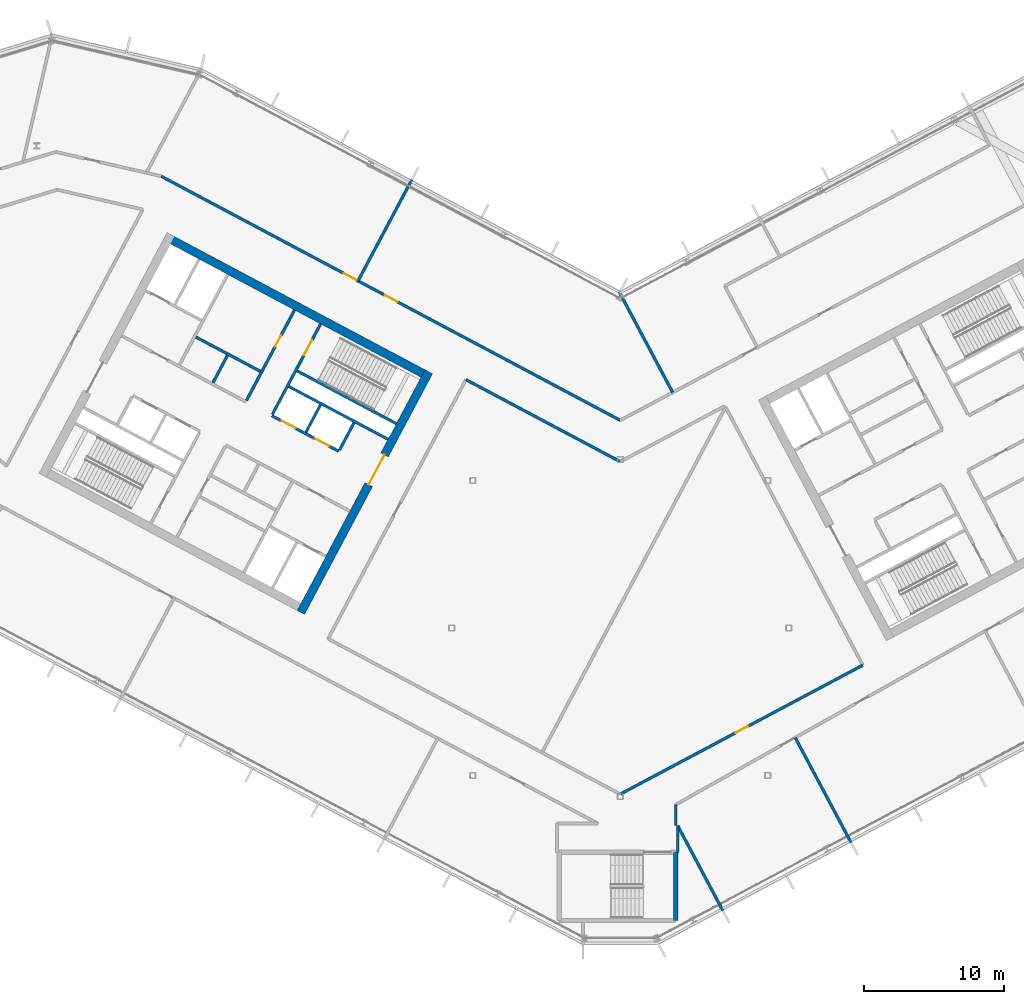
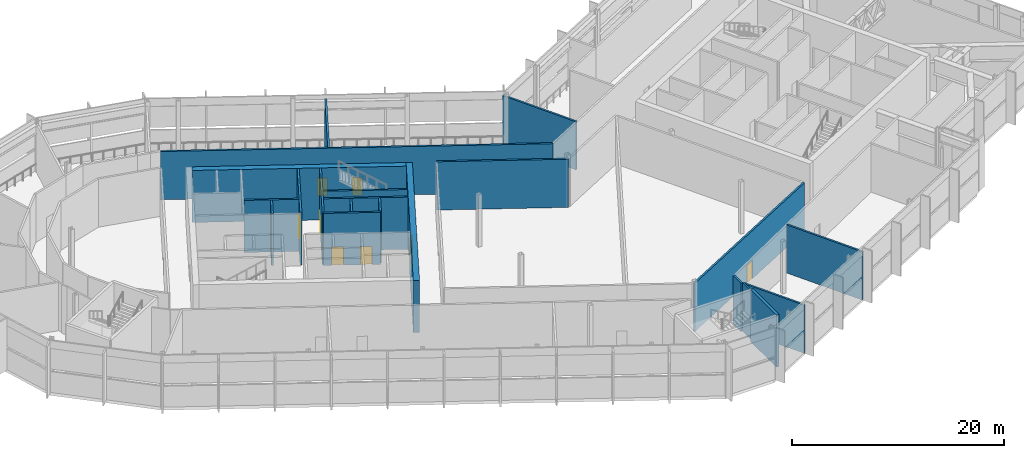
# One storey, part 16 of 33: 21 walls, 8 doors, 8 openings.
"""IFC4 building model written with IfcOpenShell, lengths in metres."""

from ifc_helpers import new_model, si_unit, direction, frame, frame_2d, origin, place, context, subcontext, project, spatial, rectangle, extrude, material, layer, layer_set, type_object, element, fill, save


model = new_model("IFC4")

# Units and contexts
model_context = context("Model", 3, precision=1e-05, world=origin(), true_north=direction((0.0, 1.0)))
body_context = subcontext(model_context, "Body", "Model", "MODEL_VIEW")
ifc_project = project(units=[si_unit("LENGTHUNIT", "METRE"), si_unit("AREAUNIT", "SQUARE_METRE"), si_unit("VOLUMEUNIT", "CUBIC_METRE"), si_unit("PLANEANGLEUNIT", "RADIAN"), si_unit("MASSUNIT", "GRAM", prefix="KILO")], contexts=[model_context])

# Site, building, storey
site_placement = place(None, origin())
site = spatial("IfcSite", under=ifc_project, at=site_placement, CompositionType="ELEMENT")
building_placement = place(site_placement, origin())
building = spatial("IfcBuilding", under=site, at=building_placement, Name="Cormorant Relay Tower", CompositionType="ELEMENT")
storey_placement = place(building_placement, frame((0.0, 0.0, 252.0)))
storey = spatial("IfcBuildingStorey", under=building, at=storey_placement, Name="L56", CompositionType="ELEMENT", Elevation=252.0)

# Walls
ifc_material_1 = material(Name="Concrete 40 MPa", Category="concrete")
ifc_layer_1 = layer(ifc_material_1, 0.199951171875)
ifc_layer_set_1 = layer_set([ifc_layer_1], Name="Core internal wall 200")
wall_type_1 = type_object("IfcWallType", Name="Core internal wall 200", PredefinedType="SOLIDWALL", material=ifc_layer_set_1)
for number, where, z_axis, x_axis, name in (
    (1, (-21.34375, 15.87890625, 0.0), (0.0, 0.0, 1.0), (-0.4694473164, -0.882960484464, 0.0), "L56 core A shaft and room wall"),
    (2, (-27.9658203125, 19.39990234375, 0.0), (0.0, 0.0, 1.0), (-0.4694473164, -0.882960484464, 0.0), "L56 core A shaft and room wall"),
):
    element("IfcWall", number, at=place(storey_placement, frame(where, z_axis=z_axis, x_axis=x_axis)), inside=storey, type_object=wall_type_1, Name=name, PredefinedType="SOLIDWALL", context=body_context, shape_type="SweptSolid", body=[
        extrude(rectangle(XDim=2.199951171875, YDim=0.199951171875, at=frame_2d((1.10009765625, 0.0))), origin(), (0.0, 0.0, 1.0), 6.0),
    ])
ifc_material_2 = material(Name="Concrete 50 MPa", Category="concrete")
ifc_layer_2 = layer(ifc_material_2, 0.199951171875)
ifc_layer_set_2 = layer_set([ifc_layer_2], Name="Core shaft wall 200")
wall_type_2 = type_object("IfcWallType", Name="Core shaft wall 200", PredefinedType="SHEAR", material=ifc_layer_set_2)
wall_1_placement = place(storey_placement, frame((-18.959716796875, 14.611328125, 0.0), z_axis=(0.0, 0.0, 1.0), x_axis=(-0.4694473164, -0.882960484464, 0.0)))
element("IfcWall", 3, at=wall_1_placement, inside=storey, type_object=wall_type_2, Name="L56 core A shaft wall", PredefinedType="SHEAR", context=body_context, shape_type="SweptSolid", body=[
    extrude(rectangle(XDim=2.199951171875, YDim=0.199951171875, at=frame_2d((1.10009765625, 0.0))), origin(), (0.0, 0.0, 1.0), 6.0),
])

# Wall, opening, door
wall_2_placement = place(storey_placement, frame((-21.333251953125, 21.6494140625, 0.0), z_axis=(0.0, 0.0, 1.0), x_axis=(-0.469494272526, -0.882935517501, 0.0)))
wall_2 = element("IfcWall", 4, at=wall_2_placement, inside=storey, type_object=wall_type_2, Name="L56 core A shaft wall", PredefinedType="SHEAR", context=body_context, shape_type="SweptSolid", body=[
    extrude(rectangle(XDim=7.2998046875, YDim=0.199951171875, at=frame_2d((3.64990234375, 0.0))), origin(), (0.0, 0.0, 1.0), 6.0),
])
opening_1_placement = place(wall_2_placement, frame((1.300048828125, 0.0, 0.0)))
opening_1 = element("IfcOpeningElement", 5, at=opening_1_placement, cuts=wall_2, Name="Opening CDB-029", PredefinedType="OPENING", context=body_context, shape_type="SweptSolid", body=[
    extrude(rectangle(XDim=1.199951171875, YDim=2.10009765625, at=frame_2d((0.60009765625, 1.050048828125))), frame((0.0, 0.10986328125, 0.0), z_axis=(0.0, -1.0, 0.0), x_axis=(1.0, 0.0, 0.0)), (0.0, 0.0, 1.0), 0.219970703125),
])
ifc_material_3 = material(Name="Steel fire door", Category="steel")
door_type_1 = type_object("IfcDoorType", Name="Core stair door 1200x2100", OperationType="SINGLE_SWING_LEFT", PredefinedType="DOOR", material=ifc_material_3)
door_1_placement = place(opening_1_placement, origin())
door_1 = element("IfcDoor", 6, at=door_1_placement, inside=storey, type_object=door_type_1, Name="Core stair door 1200x2100", OperationType="SINGLE_SWING_RIGHT", OverallHeight=2.10009765625, OverallWidth=1.199951171875, PredefinedType="DOOR", context=body_context, shape_type="SweptSolid", body=[
    extrude(rectangle(XDim=1.199951171875, YDim=2.10009765625, at=frame_2d((0.60009765625, 1.050048828125))), frame((0.0, 0.02490234375, 0.0), z_axis=(0.0, -1.0, 0.0), x_axis=(1.0, 0.0, 0.0)), (0.0, 0.0, 1.0), 0.050048828125),
])
fill(opening_1, door_1)

wall_3_placement = place(storey_placement, frame((-23.1875, 22.635498046875, 0.0), z_axis=(0.0, 0.0, 1.0), x_axis=(-0.469454336211, -0.882956752176, 0.0)))
wall_3 = element("IfcWall", 7, at=wall_3_placement, inside=storey, type_object=wall_type_2, Name="L56 core A shaft wall", PredefinedType="SHEAR", context=body_context, shape_type="SweptSolid", body=[
    extrude(rectangle(XDim=7.300048828125, YDim=0.199951171875, at=frame_2d((3.64990234375, 0.0))), origin(), (0.0, 0.0, 1.0), 6.0),
])
opening_2_placement = place(wall_3_placement, frame((2.050048828125, 0.0, 0.0)))
opening_2 = element("IfcOpeningElement", 8, at=opening_2_placement, cuts=wall_3, Name="Opening CDD-158", PredefinedType="OPENING", context=body_context, shape_type="SweptSolid", body=[
    extrude(rectangle(XDim=0.89990234375, YDim=2.10009765625, at=frame_2d((0.449951171875, 1.050048828125))), frame((0.0, 0.10986328125, 0.0), z_axis=(0.0, -1.0, 0.0), x_axis=(1.0, 0.0, 0.0)), (0.0, 0.0, 1.0), 0.219970703125),
])
ifc_material_4 = material(Name="Steel fire door", Category="steel")
door_type_2 = type_object("IfcDoorType", Name="Core room door 900x2100", OperationType="SINGLE_SWING_LEFT", PredefinedType="DOOR", material=ifc_material_4)
door_2_placement = place(opening_2_placement, origin())
door_2 = element("IfcDoor", 9, at=door_2_placement, inside=storey, type_object=door_type_2, Name="Core room door 900x2100", OperationType="SINGLE_SWING_LEFT", OverallHeight=2.10009765625, OverallWidth=0.89990234375, PredefinedType="DOOR", context=body_context, shape_type="SweptSolid", body=[
    extrude(rectangle(XDim=0.89990234375, YDim=2.10009765625, at=frame_2d((0.449951171875, 1.050048828125))), frame((0.0, 0.02490234375, 0.0), z_axis=(0.0, -1.0, 0.0), x_axis=(1.0, 0.0, 0.0)), (0.0, 0.0, 1.0), 0.050048828125),
])
fill(opening_2, door_2)

# Walls
wall_4_placement = place(storey_placement, frame((-15.94189453125, 14.53564453125, 0.0), z_axis=(0.0, 0.0, 1.0), x_axis=(-0.882946947542, 0.469472776449, 0.0)))
element("IfcWall", 10, at=wall_4_placement, inside=storey, type_object=wall_type_2, Name="L56 core A shaft wall", PredefinedType="SHEAR", context=body_context, shape_type="SweptSolid", body=[
    extrude(rectangle(XDim=8.000244140625, YDim=0.199951171875, at=frame_2d((4.0, 0.0))), origin(), (0.0, 0.0, 1.0), 6.0),
])
wall_5_placement = place(storey_placement, frame((-16.52880859375, 13.43212890625, 0.0), z_axis=(0.0, 0.0, 1.0), x_axis=(-0.88295287151, 0.469461634952, 0.0)))
element("IfcWall", 11, at=wall_5_placement, inside=storey, type_object=wall_type_2, Name="L56 core A shaft wall", PredefinedType="SHEAR", context=body_context, shape_type="SweptSolid", body=[
    extrude(rectangle(XDim=7.999755859375, YDim=0.199951171875, at=frame_2d((4.0, 0.0))), origin(), (0.0, 0.0, 1.0), 6.0),
])
wall_6_placement = place(storey_placement, frame((-25.623046875, 18.267578125, 0.0), z_axis=(0.0, 0.0, 1.0), x_axis=(-0.882953967957, 0.469459572775, 0.0)))
element("IfcWall", 12, at=wall_6_placement, inside=storey, type_object=wall_type_2, Name="L56 core A shaft wall", PredefinedType="SHEAR", context=body_context, shape_type="SweptSolid", body=[
    extrude(rectangle(XDim=5.199951171875, YDim=0.199951171875, at=frame_2d((2.60009765625, 0.0))), origin(), (0.0, 0.0, 1.0), 6.0),
])

# Wall, openings, doors
wall_7_placement = place(storey_placement, frame((-20.03955078125, 12.58056640625, 0.0), z_axis=(0.0, 0.0, 1.0), x_axis=(-0.882942972946, 0.469480251476, 0.0)))
wall_7 = element("IfcWall", 13, at=wall_7_placement, inside=storey, type_object=wall_type_2, Name="L56 core A shaft wall", PredefinedType="SHEAR", context=body_context, shape_type="SweptSolid", body=[
    extrude(rectangle(XDim=5.39990234375, YDim=0.199951171875, at=frame_2d((2.699951171875, 0.0))), origin(), (0.0, 0.0, 1.0), 6.0),
])
opening_3_placement = place(wall_7_placement, frame((0.800048828125, 0.0, 0.0)))
opening_3 = element("IfcOpeningElement", 14, at=opening_3_placement, cuts=wall_7, Name="Opening LD1-057", PredefinedType="OPENING", context=body_context, shape_type="SweptSolid", body=[
    extrude(rectangle(XDim=1.10009765625, YDim=2.10009765625, at=frame_2d((0.550048828125, 1.050048828125))), frame((0.0, 0.10986328125, 0.0), z_axis=(0.0, -1.0, 0.0), x_axis=(1.0, 0.0, 0.0)), (0.0, 0.0, 1.0), 0.219970703125),
])
opening_4_placement = place(wall_7_placement, frame((3.5, 0.0, 0.0)))
opening_4 = element("IfcOpeningElement", 15, at=opening_4_placement, cuts=wall_7, Name="Opening LD1-058", PredefinedType="OPENING", context=body_context, shape_type="SweptSolid", body=[
    extrude(rectangle(XDim=1.10009765625, YDim=2.10009765625, at=frame_2d((0.550048828125, 1.050048828125))), frame((0.0, 0.10986328125, 0.0), z_axis=(0.0, -1.0, 0.0), x_axis=(1.0, 0.0, 0.0)), (0.0, 0.0, 1.0), 0.219970703125),
])
ifc_material_5 = material(Name="Stainless steel 316", Category="steel")
door_type_3 = type_object("IfcDoorType", Name="Lift landing door 1100x2100", OperationType="DOUBLE_DOOR_SLIDING", PredefinedType="DOOR", material=ifc_material_5)
door_3_placement = place(opening_3_placement, origin())
door_3 = element("IfcDoor", 16, at=door_3_placement, inside=storey, type_object=door_type_3, Name="MR3 landing door", OperationType="DOUBLE_DOOR_SLIDING", OverallHeight=2.10009765625, OverallWidth=1.10009765625, PredefinedType="DOOR", context=body_context, shape_type="SweptSolid", body=[
    extrude(rectangle(XDim=1.10009765625, YDim=2.10009765625, at=frame_2d((0.550048828125, 1.050048828125))), frame((0.0, 0.02490234375, 0.0), z_axis=(0.0, -1.0, 0.0), x_axis=(1.0, 0.0, 0.0)), (0.0, 0.0, 1.0), 0.050048828125),
])
fill(opening_3, door_3)
door_4_placement = place(opening_4_placement, origin())
door_4 = element("IfcDoor", 17, at=door_4_placement, inside=storey, type_object=door_type_3, Name="MR4 landing door", OperationType="DOUBLE_DOOR_SLIDING", OverallHeight=2.10009765625, OverallWidth=1.10009765625, PredefinedType="DOOR", context=body_context, shape_type="SweptSolid", body=[
    extrude(rectangle(XDim=1.10009765625, YDim=2.10009765625, at=frame_2d((0.550048828125, 1.050048828125))), frame((0.0, 0.02490234375, 0.0), z_axis=(0.0, -1.0, 0.0), x_axis=(1.0, 0.0, 0.0)), (0.0, 0.0, 1.0), 0.050048828125),
])
fill(opening_4, door_4)

# Wall, opening, door
ifc_material_6 = material(Name="Concrete 50 MPa", Category="concrete")
ifc_layer_3 = layer(ifc_material_6, 0.60009765625)
ifc_layer_set_3 = layer_set([ifc_layer_3], Name="Core wall 600")
wall_type_3 = type_object("IfcWallType", Name="Core wall 600", PredefinedType="SHEAR", material=ifc_layer_set_3)
wall_8_placement = place(storey_placement, frame((-13.634765625, 18.235595703125, 0.0), z_axis=(0.0, 0.0, 1.0), x_axis=(-0.469478769487, -0.88294376095, 0.0)))
wall_8 = element("IfcWall", 18, at=wall_8_placement, inside=storey, type_object=wall_type_3, Name="L56 core A wall", PredefinedType="SHEAR", context=body_context, shape_type="SweptSolid", body=[
    extrude(rectangle(XDim=19.400146484375, YDim=0.60009765625, at=frame_2d((9.7001953125, 0.0))), origin(), (0.0, 0.0, 1.0), 6.0),
])
opening_5_placement = place(wall_8_placement, frame((6.699951171875, 0.0, 0.0)))
opening_5 = element("IfcOpeningElement", 19, at=opening_5_placement, cuts=wall_8, Name="Opening CDA-046", PredefinedType="OPENING", context=body_context, shape_type="SweptSolid", body=[
    extrude(rectangle(XDim=2.39990234375, YDim=2.39990234375, at=frame_2d((1.199951171875, 1.199951171875))), frame((0.0, 0.31005859375, 0.0), z_axis=(0.0, -1.0, 0.0), x_axis=(1.0, 0.0, 0.0)), (0.0, 0.0, 1.0), 0.6201171875),
])
ifc_material_7 = material(Name="Steel fire door", Category="steel")
door_type_4 = type_object("IfcDoorType", Name="Core lobby door 2400x2400", OperationType="DOUBLE_DOOR_SINGLE_SWING", PredefinedType="DOOR", material=ifc_material_7)
door_5_placement = place(opening_5_placement, origin())
door_5 = element("IfcDoor", 20, at=door_5_placement, inside=storey, type_object=door_type_4, Name="Core lobby door 2400x2400", OperationType="DOUBLE_DOOR_SINGLE_SWING", OverallHeight=2.39990234375, OverallWidth=2.39990234375, PredefinedType="DOOR", context=body_context, shape_type="SweptSolid", body=[
    extrude(rectangle(XDim=2.39990234375, YDim=2.39990234375, at=frame_2d((1.199951171875, 1.199951171875))), frame((0.0, 0.02490234375, 0.0), z_axis=(0.0, -1.0, 0.0), x_axis=(1.0, 0.0, 0.0)), (0.0, 0.0, 1.0), 0.050048828125),
])
fill(opening_5, door_5)

# Wall
wall_9_placement = place(storey_placement, frame((-14.04052734375, 18.111572265625, 0.0), z_axis=(0.0, 0.0, 1.0), x_axis=(-0.882947755831, 0.46947125628, 0.0)))
element("IfcWall", 21, at=wall_9_placement, inside=storey, type_object=wall_type_3, Name="L56 core A wall", PredefinedType="SHEAR", context=body_context, shape_type="SweptSolid", body=[
    extrude(rectangle(XDim=20.2001953125, YDim=0.60009765625, at=frame_2d((10.10009765625, 0.0))), origin(), (0.0, 0.0, 1.0), 6.0),
])

# Wall, openings, doors
ifc_material_8 = material(Name="Fire-rated gypsum board partition")
ifc_layer_4 = layer(ifc_material_8, 0.199951171875)
ifc_layer_set_4 = layer_set([ifc_layer_4], Name="Fire-rated gypsum partition 200")
wall_type_4 = type_object("IfcWallType", Name="Fire-rated gypsum partition 200", PredefinedType="PARTITIONING", material=ifc_layer_set_4)
wall_10_placement = place(storey_placement, frame((-32.681884765625, 32.156982421875, 0.0), z_axis=(0.0, 0.0, 1.0), x_axis=(0.88295110087, -0.469464965118, 0.0)))
wall_10 = element("IfcWall", 22, at=wall_10_placement, inside=storey, type_object=wall_type_4, Name="wall/L56/part/32", PredefinedType="PARTITIONING", context=body_context, shape_type="SweptSolid", body=[
    extrude(rectangle(XDim=37.014404296875, YDim=0.199951171875, at=frame_2d((18.50732421875, 0.0))), origin(), (0.0, 0.0, 1.0), 5.550048828125),
])
opening_6_placement = place(wall_10_placement, frame((18.050048828125, 0.0, 0.0)))
opening_6 = element("IfcOpeningElement", 23, at=opening_6_placement, cuts=wall_10, Name="Opening FD1-193", PredefinedType="OPENING", context=body_context, shape_type="SweptSolid", body=[
    extrude(rectangle(XDim=1.0, YDim=2.10009765625, at=frame_2d((0.5, 1.050048828125))), frame((0.0, 0.10986328125, 0.0), z_axis=(0.0, -1.0, 0.0), x_axis=(1.0, 0.0, 0.0)), (0.0, 0.0, 1.0), 0.219970703125),
])
opening_7_placement = place(wall_10_placement, frame((14.75, 0.0, 0.0)))
opening_7 = element("IfcOpeningElement", 24, at=opening_7_placement, cuts=wall_10, Name="Opening FD1-194", PredefinedType="OPENING", context=body_context, shape_type="SweptSolid", body=[
    extrude(rectangle(XDim=1.0, YDim=2.10009765625, at=frame_2d((0.5, 1.050048828125))), frame((0.0, 0.10986328125, 0.0), z_axis=(0.0, -1.0, 0.0), x_axis=(1.0, 0.0, 0.0)), (0.0, 0.0, 1.0), 0.219970703125),
])
ifc_material_9 = material(Name="Fire-rated steel door", Category="steel")
door_type_5 = type_object("IfcDoorType", Name="Fire door 1000 x 2100", OperationType="SINGLE_SWING_LEFT", PredefinedType="DOOR", material=ifc_material_9)
door_6_placement = place(opening_6_placement, origin())
door_6 = element("IfcDoor", 25, at=door_6_placement, inside=storey, type_object=door_type_5, Name="door/L56/8", OperationType="SINGLE_SWING_RIGHT", OverallHeight=2.10009765625, OverallWidth=1.0, PredefinedType="DOOR", context=body_context, shape_type="SweptSolid", body=[
    extrude(rectangle(XDim=1.0, YDim=2.10009765625, at=frame_2d((0.5, 1.050048828125))), frame((0.0, 0.02490234375, 0.0), z_axis=(0.0, -1.0, 0.0), x_axis=(1.0, 0.0, 0.0)), (0.0, 0.0, 1.0), 0.050048828125),
])
fill(opening_6, door_6)
door_7_placement = place(opening_7_placement, origin())
door_7 = element("IfcDoor", 26, at=door_7_placement, inside=storey, type_object=door_type_5, Name="door/L56/9", OperationType="SINGLE_SWING_RIGHT", OverallHeight=2.10009765625, OverallWidth=1.0, PredefinedType="DOOR", context=body_context, shape_type="SweptSolid", body=[
    extrude(rectangle(XDim=1.0, YDim=2.10009765625, at=frame_2d((0.5, 1.050048828125))), frame((0.0, 0.02490234375, 0.0), z_axis=(0.0, -1.0, 0.0), x_axis=(1.0, 0.0, 0.0)), (0.0, 0.0, 1.0), 0.050048828125),
])
fill(opening_7, door_7)

# Walls
wall_11_placement = place(storey_placement, frame((-14.843994140625, 31.903076171875, 0.0), z_axis=(0.0, 0.0, 1.0), x_axis=(-0.469351618214, -0.883011358069, 0.0)))
element("IfcWall", 27, at=wall_11_placement, inside=storey, type_object=wall_type_4, Name="wall/L56/part/34", PredefinedType="PARTITIONING", context=body_context, shape_type="SweptSolid", body=[
    extrude(rectangle(XDim=8.1494140625, YDim=0.199951171875, at=frame_2d((4.07470703125, 0.0))), origin(), (0.0, 0.0, 1.0), 5.550048828125),
])
wall_12_placement = place(storey_placement, frame((-0.10498046875, 23.98388671875, 0.0), z_axis=(0.0, 0.0, 1.0), x_axis=(0.469329164555, -0.883023292614, 0.0)))
element("IfcWall", 28, at=wall_12_placement, inside=storey, type_object=wall_type_4, Name="wall/L56/part/35", PredefinedType="PARTITIONING", context=body_context, shape_type="SweptSolid", body=[
    extrude(rectangle(XDim=8.17529296875, YDim=0.199951171875, at=frame_2d((4.087646484375, 0.0))), origin(), (0.0, 0.0, 1.0), 5.550048828125),
])
wall_13_placement = place(storey_placement, frame((-10.987060546875, 17.677001953125, 0.0), z_axis=(0.0, 0.0, 1.0), x_axis=(0.882943685488, -0.469478911407, 0.0)))
element("IfcWall", 29, at=wall_13_placement, inside=storey, type_object=wall_type_4, Name="wall/L56/part/41", PredefinedType="PARTITIONING", context=body_context, shape_type="SweptSolid", body=[
    extrude(rectangle(XDim=12.443603515625, YDim=0.199951171875, at=frame_2d((6.2216796875, 0.0))), origin(), (0.0, 0.0, 1.0), 5.550048828125),
])

# Wall, opening, door
wall_14_placement = place(storey_placement, frame((17.26708984375, -2.654052734375, 0.0), z_axis=(0.0, 0.0, 1.0), x_axis=(-0.882938966386, -0.469487786463, 0.0)))
wall_14 = element("IfcWall", 30, at=wall_14_placement, inside=storey, type_object=wall_type_4, Name="wall/L56/part/44", PredefinedType="PARTITIONING", context=body_context, shape_type="SweptSolid", body=[
    extrude(rectangle(XDim=19.535888671875, YDim=0.199951171875, at=frame_2d((9.76806640625, 0.0))), origin(), (0.0, 0.0, 1.0), 5.550048828125),
])
opening_8_placement = place(wall_14_placement, frame((9.2509765625, 0.0, 0.0)))
opening_8 = element("IfcOpeningElement", 31, at=opening_8_placement, cuts=wall_14, Name="Opening FD1-186", PredefinedType="OPENING", context=body_context, shape_type="SweptSolid", body=[
    extrude(rectangle(XDim=1.0, YDim=2.10009765625, at=frame_2d((0.5, 1.050048828125))), frame((0.0, 0.10986328125, 0.0), z_axis=(0.0, -1.0, 0.0), x_axis=(1.0, 0.0, 0.0)), (0.0, 0.0, 1.0), 0.219970703125),
])
door_8_placement = place(opening_8_placement, frame((1.0, 0.0, 0.0), z_axis=(0.0, 0.0, 1.0), x_axis=(-1.0, 0.0, 0.0)))
door_8 = element("IfcDoor", 32, at=door_8_placement, inside=storey, type_object=door_type_5, Name="door/L56/18", OperationType="SINGLE_SWING_RIGHT", OverallHeight=2.10009765625, OverallWidth=1.0, PredefinedType="DOOR", context=body_context, shape_type="SweptSolid", body=[
    extrude(rectangle(XDim=1.0, YDim=2.10009765625, at=frame_2d((0.5, 1.050048828125))), frame((0.0, 0.02490234375, 0.0), z_axis=(0.0, -1.0, 0.0), x_axis=(1.0, 0.0, 0.0)), (0.0, 0.0, 1.0), 0.050048828125),
])
fill(opening_8, door_8)

# Walls
wall_15_placement = place(storey_placement, frame((12.4580078125, -7.80810546875, 0.0), z_axis=(0.0, 0.0, 1.0), x_axis=(0.469543551012, -0.882909312275, 0.0)))
element("IfcWall", 33, at=wall_15_placement, inside=storey, type_object=wall_type_4, Name="wall/L56/part/48", PredefinedType="PARTITIONING", context=body_context, shape_type="SweptSolid", body=[
    extrude(rectangle(XDim=8.45703125, YDim=0.199951171875, at=frame_2d((4.228515625, 0.0))), origin(), (0.0, 0.0, 1.0), 5.550048828125),
])
wall_16_placement = place(storey_placement, frame((3.949951171875, -12.5830078125, 0.0), z_axis=(0.0, 0.0, 1.0), x_axis=(0.0, -1.0, 0.0)))
element("IfcWall", 34, at=wall_16_placement, inside=storey, type_object=wall_type_4, Name="wall/L56/part/50", PredefinedType="PARTITIONING", context=body_context, shape_type="SweptSolid", body=[
    extrude(rectangle(XDim=1.5009765625, YDim=0.199951171875, at=frame_2d((0.75048828125, 0.0))), origin(), (0.0, 0.0, 1.0), 5.550048828125),
])
wall_17_placement = place(storey_placement, frame((4.10009765625, -14.083984375, 0.0), z_axis=(0.0, 0.0, 1.0), x_axis=(0.0, -1.0, 0.0)))
element("IfcWall", 35, at=wall_17_placement, inside=storey, type_object=wall_type_4, Name="wall/L56/part/51", PredefinedType="PARTITIONING", context=body_context, shape_type="SweptSolid", body=[
    extrude(rectangle(XDim=1.89111328125, YDim=0.199951171875, at=frame_2d((0.945556640625, 0.0))), origin(), (0.0, 0.0, 1.0), 5.550048828125),
])
wall_18_placement = place(storey_placement, frame((7.303955078125, -20.126953125, 0.0), z_axis=(0.0, 0.0, 1.0), x_axis=(-0.469394067071, 0.882988793699, 0.0)))
element("IfcWall", 36, at=wall_18_placement, inside=storey, type_object=wall_type_4, Name="wall/L56/part/52", PredefinedType="PARTITIONING", context=body_context, shape_type="SweptSolid", body=[
    extrude(rectangle(XDim=6.825439453125, YDim=0.199951171875, at=frame_2d((3.41259765625, 0.0))), origin(), (0.0, 0.0, 1.0), 5.550048828125),
])
ifc_material_10 = material(Name="Concrete 50 MPa", Category="concrete")
ifc_layer_5 = layer(ifc_material_10, 0.300048828125)
ifc_layer_set_5 = layer_set([ifc_layer_5], Name="Remote stair wall 300")
wall_type_5 = type_object("IfcWallType", Name="Remote stair wall 300", PredefinedType="SHEAR", material=ifc_layer_set_5)
wall_19_placement = place(storey_placement, frame((3.949951171875, -15.97509765625, 0.0), z_axis=(0.0, 0.0, 1.0), x_axis=(0.0, -1.0, 0.0)))
element("IfcWall", 37, at=wall_19_placement, inside=storey, type_object=wall_type_5, Name="L56 exit stair RK1 wall", PredefinedType="SHEAR", context=body_context, shape_type="SweptSolid", body=[
    extrude(rectangle(XDim=4.849853515625, YDim=0.300048828125, at=frame_2d((2.4248046875, 0.0))), origin(), (0.0, 0.0, 1.0), 6.0),
])

save(model, "model.ifc")
